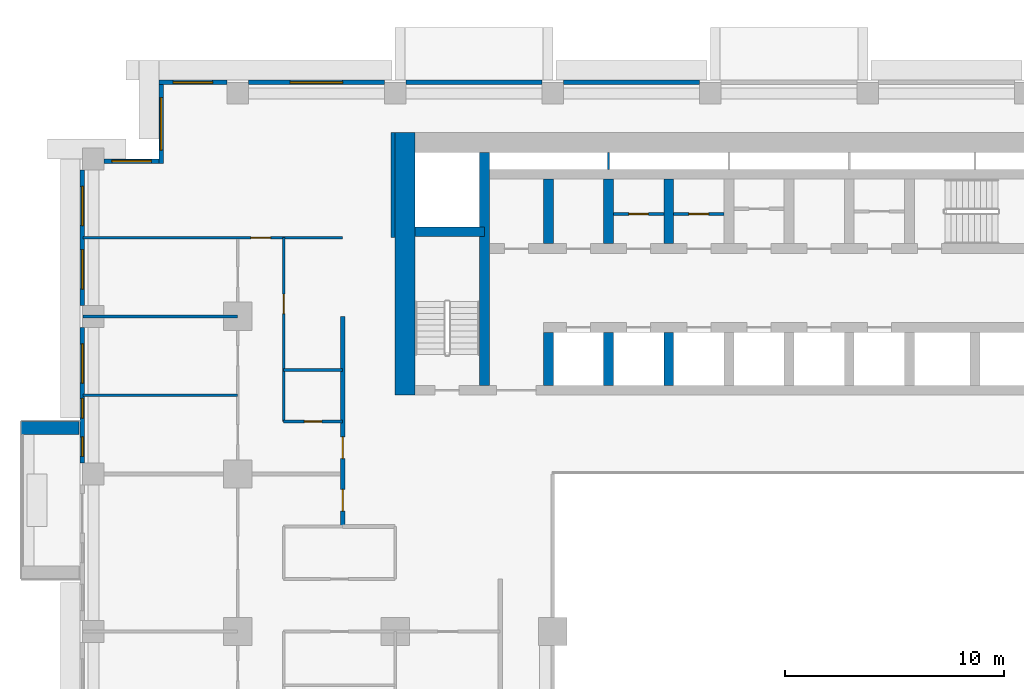
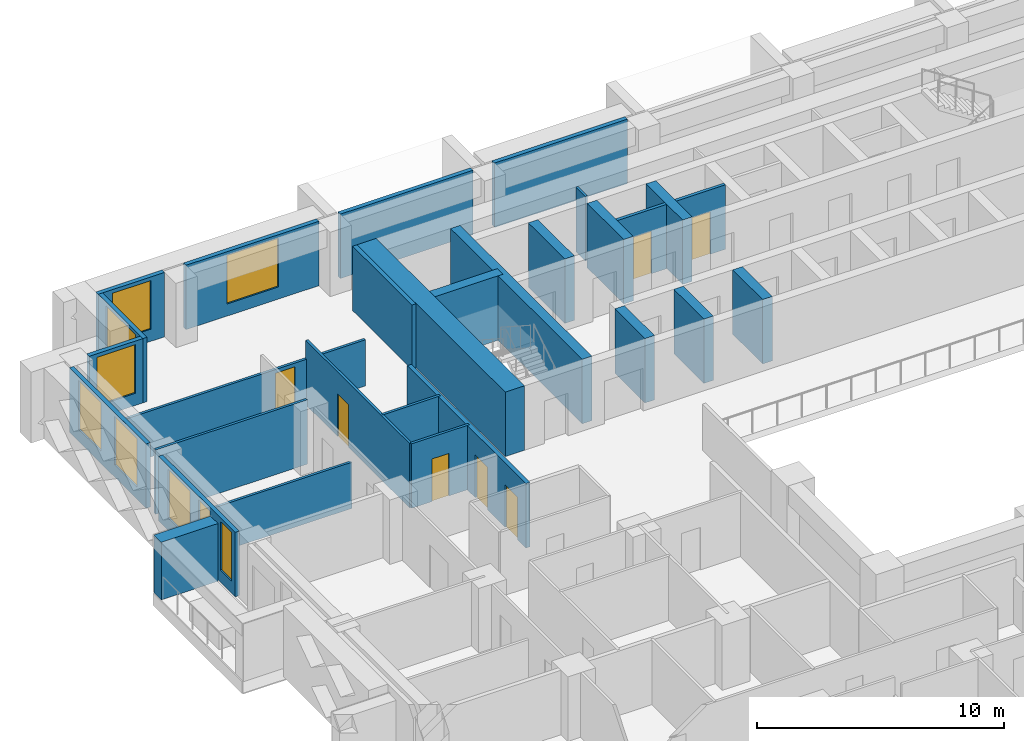
# One storey, part 9 of 16: 29 walls, 9 windows, 7 doors, 16 openings.
"""IFC4 building model written with IfcOpenShell, lengths in metres."""

from ifc_helpers import new_model, si_unit, direction, frame, frame_2d, origin, place, context, subcontext, project, spatial, rectangle, extrude, material, layer, layer_set, type_object, element, fill, save


model = new_model("IFC4")

# Units and contexts
model_context = context("Model", 3, precision=1e-05, world=origin(), true_north=direction((0.0, 1.0)))
body_context = subcontext(model_context, "Body", "Model", "MODEL_VIEW")
ifc_project = project(units=[si_unit("LENGTHUNIT", "METRE"), si_unit("AREAUNIT", "SQUARE_METRE"), si_unit("VOLUMEUNIT", "CUBIC_METRE"), si_unit("PLANEANGLEUNIT", "RADIAN"), si_unit("MASSUNIT", "GRAM", prefix="KILO")], contexts=[model_context])

# Site, building, storey
site_placement = place(None, origin())
site = spatial("IfcSite", under=ifc_project, at=site_placement, CompositionType="ELEMENT")
building_placement = place(site_placement, origin())
building = spatial("IfcBuilding", under=site, at=building_placement, Name="Saffron Iwan Residences", CompositionType="ELEMENT")
storey_placement = place(building_placement, frame((0.0, 0.0, 65.5)))
storey = spatial("IfcBuildingStorey", under=building, at=storey_placement, Name="L16", CompositionType="ELEMENT", Elevation=65.5)

# Wall
ifc_material_1 = material(Name="Concrete C50/60 white painted", Category="concrete")
ifc_layer_1 = layer(ifc_material_1, 0.60009765625)
ifc_layer_set_1 = layer_set([ifc_layer_1], Name="Concrete C50/60 white painted")
wall_type_1 = type_object("IfcWallType", Name="BALCONY FIN 600", PredefinedType="SOLIDWALL", material=ifc_layer_set_1)
wall_1_placement = place(storey_placement, frame((14.35009765625, 64.5, 0.0), z_axis=(0.0, 0.0, 1.0), x_axis=(-1.0, 0.0, 0.0)))
element("IfcWall", 1, at=wall_1_placement, inside=storey, type_object=wall_type_1, Name="Balcony fin L16 F8-0a", PredefinedType="SOLIDWALL", context=body_context, shape_type="SweptSolid", body=[
    extrude(rectangle(XDim=2.650146484375, YDim=0.60009765625, at=frame_2d((1.3251953125, 0.0))), origin(), (0.0, 0.0, 1.0), 2.85009765625),
])

# Wall, opening, door
ifc_material_2 = material(Name="Fire-rated plasterboard partition")
ifc_layer_2 = layer(ifc_material_2, 0.14990234375)
ifc_layer_set_2 = layer_set([ifc_layer_2], Name="Fire-rated plasterboard partition")
wall_type_2 = type_object("IfcWallType", Name="Core partition 150", PredefinedType="PARTITIONING", material=ifc_layer_set_2)
wall_2_placement = place(storey_placement, frame((38.77490234375, 74.281982421875, 0.0), z_axis=(0.0, 0.0, 1.0), x_axis=(1.0, 0.0, 0.0)))
wall_2 = element("IfcWall", 2, at=wall_2_placement, inside=storey, type_object=wall_type_2, Name="Core partition P01", PredefinedType="PARTITIONING", context=body_context, shape_type="SweptSolid", body=[
    extrude(rectangle(XDim=2.300048828125, YDim=0.14990234375, at=frame_2d((1.14990234375, 0.0))), origin(), (0.0, 0.0, 1.0), 3.179931640625),
])
opening_1_placement = place(wall_2_placement, frame((0.699951171875, 0.0, 0.0)))
opening_1 = element("IfcOpeningElement", 3, at=opening_1_placement, cuts=wall_2, Name="Opening SB", PredefinedType="OPENING", context=body_context, shape_type="SweptSolid", body=[
    extrude(rectangle(XDim=0.89990234375, YDim=2.10009765625, at=frame_2d((0.449951171875, 1.050048828125))), frame((0.0, 0.0849609375, 0.0), z_axis=(0.0, -1.0, 0.0), x_axis=(1.0, 0.0, 0.0)), (0.0, 0.0, 1.0), 0.169921875),
])
ifc_material_3 = material(Name="Steel fire door", Category="steel")
door_type_1 = type_object("IfcDoorType", Name="Store door 900", OperationType="NOTDEFINED", PredefinedType="DOOR", material=ifc_material_3)
door_1_placement = place(opening_1_placement, origin())
door_1 = element("IfcDoor", 4, at=door_1_placement, inside=storey, type_object=door_type_1, Name="Door Equipment store", OperationType="SINGLE_SWING_RIGHT", OverallHeight=2.10009765625, OverallWidth=0.89990234375, PredefinedType="DOOR", context=body_context, shape_type="SweptSolid", body=[
    extrude(rectangle(XDim=0.89990234375, YDim=2.10009765625, at=frame_2d((0.449951171875, 1.050048828125))), frame((0.0, 0.02490234375, 0.0), z_axis=(0.0, -1.0, 0.0), x_axis=(1.0, 0.0, 0.0)), (0.0, 0.0, 1.0), 0.050048828125),
])
fill(opening_1, door_1)

wall_3_placement = place(storey_placement, frame((41.52490234375, 74.281982421875, 0.0), z_axis=(0.0, 0.0, 1.0), x_axis=(1.0, 0.0, 0.0)))
wall_3 = element("IfcWall", 5, at=wall_3_placement, inside=storey, type_object=wall_type_2, Name="Core partition P02", PredefinedType="PARTITIONING", context=body_context, shape_type="SweptSolid", body=[
    extrude(rectangle(XDim=2.300048828125, YDim=0.14990234375, at=frame_2d((1.14990234375, 0.0))), origin(), (0.0, 0.0, 1.0), 3.179931640625),
])
opening_2_placement = place(wall_3_placement, frame((0.699951171875, 0.0, 0.0)))
opening_2 = element("IfcOpeningElement", 6, at=opening_2_placement, cuts=wall_3, Name="Opening SB", PredefinedType="OPENING", context=body_context, shape_type="SweptSolid", body=[
    extrude(rectangle(XDim=0.89990234375, YDim=2.10009765625, at=frame_2d((0.449951171875, 1.050048828125))), frame((0.0, 0.0849609375, 0.0), z_axis=(0.0, -1.0, 0.0), x_axis=(1.0, 0.0, 0.0)), (0.0, 0.0, 1.0), 0.169921875),
])
door_2_placement = place(opening_2_placement, origin())
door_2 = element("IfcDoor", 7, at=door_2_placement, inside=storey, type_object=door_type_1, Name="Door Mop store", OperationType="SINGLE_SWING_LEFT", OverallHeight=2.10009765625, OverallWidth=0.89990234375, PredefinedType="DOOR", context=body_context, shape_type="SweptSolid", body=[
    extrude(rectangle(XDim=0.89990234375, YDim=2.10009765625, at=frame_2d((0.449951171875, 1.050048828125))), frame((0.0, 0.02490234375, 0.0), z_axis=(0.0, -1.0, 0.0), x_axis=(1.0, 0.0, 0.0)), (0.0, 0.0, 1.0), 0.050048828125),
])
fill(opening_2, door_2)

# Walls
ifc_material_4 = material(Name="Concrete C40/50", Category="concrete")
ifc_layer_3 = layer(ifc_material_4, 0.199951171875)
ifc_layer_set_3 = layer_set([ifc_layer_3], Name="Concrete C40/50")
wall_type_3 = type_object("IfcWallType", Name="EXTERNAL WALL 200", PredefinedType="SOLIDWALL", material=ifc_layer_set_3)
for number, where, z_axis, x_axis, name in (
    (8, (42.699951171875, 80.300048828125, 0.0), (0.0, 0.0, 1.0), (-1.0, 0.0, 0.0), "External wall L16 F5.6"),
    (9, (35.5, 80.300048828125, 0.0), (0.0, 0.0, 1.0), (-1.0, 0.0, 0.0), "External wall L16 F5.7"),
):
    element("IfcWall", number, at=place(storey_placement, frame(where, z_axis=z_axis, x_axis=x_axis)), inside=storey, type_object=wall_type_3, Name=name, PredefinedType="SOLIDWALL", context=body_context, shape_type="SweptSolid", body=[
        extrude(rectangle(XDim=6.199951171875, YDim=0.199951171875, at=frame_2d((3.10009765625, 0.0))), origin(), (0.0, 0.0, 1.0), 3.179931640625),
    ])

# Wall, opening, window
wall_4_placement = place(storey_placement, frame((28.300048828125, 80.300048828125, 0.0), z_axis=(0.0, 0.0, 1.0), x_axis=(-1.0, 0.0, 0.0)))
wall_4 = element("IfcWall", 10, at=wall_4_placement, inside=storey, type_object=wall_type_3, Name="External wall L16 F5.8", PredefinedType="SOLIDWALL", context=body_context, shape_type="SweptSolid", body=[
    extrude(rectangle(XDim=6.199951171875, YDim=0.199951171875, at=frame_2d((3.10009765625, 0.0))), origin(), (0.0, 0.0, 1.0), 3.179931640625),
])
opening_3_placement = place(wall_4_placement, frame((1.89990234375, 0.0, 0.60009765625)))
opening_3 = element("IfcOpeningElement", 11, at=opening_3_placement, cuts=wall_4, Name="Opening W1", PredefinedType="OPENING", context=body_context, shape_type="SweptSolid", body=[
    extrude(rectangle(XDim=2.39990234375, YDim=2.39990234375, at=frame_2d((1.199951171875, 1.199951171875))), frame((0.0, 0.10986328125, 0.0), z_axis=(0.0, -1.0, 0.0), x_axis=(1.0, 0.0, 0.0)), (0.0, 0.0, 1.0), 0.219970703125),
])
ifc_material_5 = material(Name="Clear glass, laminated double glazed", Category="glass")
window_type_1 = type_object("IfcWindowType", Name="WINDOW 2400 x 2400", PartitioningType="DOUBLE_PANEL_VERTICAL", PredefinedType="WINDOW", material=ifc_material_5)
window_1_placement = place(opening_3_placement, origin())
window_1 = element("IfcWindow", 12, at=window_1_placement, inside=storey, type_object=window_type_1, Name="Window L16 F5.0", OverallHeight=2.39990234375, OverallWidth=2.39990234375, PartitioningType="DOUBLE_PANEL_VERTICAL", PredefinedType="WINDOW", context=body_context, shape_type="SweptSolid", body=[
    extrude(rectangle(XDim=2.39990234375, YDim=2.39990234375, at=frame_2d((1.199951171875, 1.199951171875))), frame((0.0, 0.030029296875, 0.0), z_axis=(0.0, -1.0, 0.0), x_axis=(1.0, 0.0, 0.0)), (0.0, 0.0, 1.0), 0.06005859375),
])
fill(opening_3, window_1)

wall_5_placement = place(storey_placement, frame((21.10009765625, 80.300048828125, 0.0), z_axis=(0.0, 0.0, 1.0), x_axis=(-1.0, 0.0, 0.0)))
wall_5 = element("IfcWall", 13, at=wall_5_placement, inside=storey, type_object=wall_type_3, Name="External wall L16 F5.9", PredefinedType="SOLIDWALL", context=body_context, shape_type="SweptSolid", body=[
    extrude(rectangle(XDim=3.10009765625, YDim=0.199951171875, at=frame_2d((1.550048828125, 0.0))), origin(), (0.0, 0.0, 1.0), 3.179931640625),
])
opening_4_placement = place(wall_5_placement, frame((0.64990234375, 0.0, 0.60009765625)))
opening_4 = element("IfcOpeningElement", 14, at=opening_4_placement, cuts=wall_5, Name="Opening W8", PredefinedType="OPENING", context=body_context, shape_type="SweptSolid", body=[
    extrude(rectangle(XDim=1.800048828125, YDim=2.39990234375, at=frame_2d((0.89990234375, 1.199951171875))), frame((0.0, 0.10986328125, 0.0), z_axis=(0.0, -1.0, 0.0), x_axis=(1.0, 0.0, 0.0)), (0.0, 0.0, 1.0), 0.219970703125),
])
window_type_2 = type_object("IfcWindowType", Name="WINDOW 1800 x 2400", PartitioningType="DOUBLE_PANEL_VERTICAL", PredefinedType="WINDOW", material=ifc_material_5)
window_2_placement = place(opening_4_placement, origin())
window_2 = element("IfcWindow", 15, at=window_2_placement, inside=storey, type_object=window_type_2, Name="Window L16 F5.0", OverallHeight=2.39990234375, OverallWidth=1.800048828125, PartitioningType="DOUBLE_PANEL_VERTICAL", PredefinedType="WINDOW", context=body_context, shape_type="SweptSolid", body=[
    extrude(rectangle(XDim=1.800048828125, YDim=2.39990234375, at=frame_2d((0.89990234375, 1.199951171875))), frame((0.0, 0.030029296875, 0.0), z_axis=(0.0, -1.0, 0.0), x_axis=(1.0, 0.0, 0.0)), (0.0, 0.0, 1.0), 0.06005859375),
])
fill(opening_4, window_2)

wall_6_placement = place(storey_placement, frame((18.10009765625, 80.199951171875, 0.0), z_axis=(0.0, 0.0, 1.0), x_axis=(0.0, -1.0, 0.0)))
wall_6 = element("IfcWall", 16, at=wall_6_placement, inside=storey, type_object=wall_type_3, Name="External wall L16 F6.0", PredefinedType="SOLIDWALL", context=body_context, shape_type="SweptSolid", body=[
    extrude(rectangle(XDim=3.599853515625, YDim=0.199951171875, at=frame_2d((1.7998046875, 0.0))), origin(), (0.0, 0.0, 1.0), 3.179931640625),
])
opening_5_placement = place(wall_6_placement, frame((0.60009765625, 0.0, 0.60009765625)))
opening_5 = element("IfcOpeningElement", 17, at=opening_5_placement, cuts=wall_6, Name="Opening W1", PredefinedType="OPENING", context=body_context, shape_type="SweptSolid", body=[
    extrude(rectangle(XDim=2.39990234375, YDim=2.39990234375, at=frame_2d((1.199951171875, 1.199951171875))), frame((0.0, 0.10986328125, 0.0), z_axis=(0.0, -1.0, 0.0), x_axis=(1.0, 0.0, 0.0)), (0.0, 0.0, 1.0), 0.219970703125),
])
window_3_placement = place(opening_5_placement, origin())
window_3 = element("IfcWindow", 18, at=window_3_placement, inside=storey, type_object=window_type_1, Name="Window L16 F6.0", OverallHeight=2.39990234375, OverallWidth=2.39990234375, PartitioningType="DOUBLE_PANEL_VERTICAL", PredefinedType="WINDOW", context=body_context, shape_type="SweptSolid", body=[
    extrude(rectangle(XDim=2.39990234375, YDim=2.39990234375, at=frame_2d((1.199951171875, 1.199951171875))), frame((0.0, 0.030029296875, 0.0), z_axis=(0.0, -1.0, 0.0), x_axis=(1.0, 0.0, 0.0)), (0.0, 0.0, 1.0), 0.06005859375),
])
fill(opening_5, window_3)

wall_7_placement = place(storey_placement, frame((18.0, 76.699951171875, 0.0), z_axis=(0.0, 0.0, 1.0), x_axis=(-1.0, 0.0, 0.0)))
wall_7 = element("IfcWall", 19, at=wall_7_placement, inside=storey, type_object=wall_type_3, Name="External wall L16 F7.0", PredefinedType="SOLIDWALL", context=body_context, shape_type="SweptSolid", body=[
    extrude(rectangle(XDim=2.5, YDim=0.199951171875, at=frame_2d((1.25, 0.0))), origin(), (0.0, 0.0, 1.0), 3.179931640625),
])
opening_6_placement = place(wall_7_placement, frame((0.35009765625, 0.0, 0.60009765625)))
opening_6 = element("IfcOpeningElement", 20, at=opening_6_placement, cuts=wall_7, Name="Opening W8", PredefinedType="OPENING", context=body_context, shape_type="SweptSolid", body=[
    extrude(rectangle(XDim=1.800048828125, YDim=2.39990234375, at=frame_2d((0.89990234375, 1.199951171875))), frame((0.0, 0.10986328125, 0.0), z_axis=(0.0, -1.0, 0.0), x_axis=(1.0, 0.0, 0.0)), (0.0, 0.0, 1.0), 0.219970703125),
])
window_4_placement = place(opening_6_placement, origin())
window_4 = element("IfcWindow", 21, at=window_4_placement, inside=storey, type_object=window_type_2, Name="Window L16 F7.0", OverallHeight=2.39990234375, OverallWidth=1.800048828125, PartitioningType="DOUBLE_PANEL_VERTICAL", PredefinedType="WINDOW", context=body_context, shape_type="SweptSolid", body=[
    extrude(rectangle(XDim=1.800048828125, YDim=2.39990234375, at=frame_2d((0.89990234375, 1.199951171875))), frame((0.0, 0.030029296875, 0.0), z_axis=(0.0, -1.0, 0.0), x_axis=(1.0, 0.0, 0.0)), (0.0, 0.0, 1.0), 0.06005859375),
])
fill(opening_6, window_4)

# Wall, openings, windows
wall_8_placement = place(storey_placement, frame((14.5, 76.300048828125, 0.0), z_axis=(0.0, 0.0, 1.0), x_axis=(0.0, -1.0, 0.0)))
wall_8 = element("IfcWall", 22, at=wall_8_placement, inside=storey, type_object=wall_type_3, Name="External wall L16 F8.0", PredefinedType="SOLIDWALL", context=body_context, shape_type="SweptSolid", body=[
    extrude(rectangle(XDim=6.199951171875, YDim=0.199951171875, at=frame_2d((3.10009765625, 0.0))), origin(), (0.0, 0.0, 1.0), 3.179931640625),
])
opening_7_placement = place(wall_8_placement, frame((3.64990234375, 0.0, 0.60009765625)))
opening_7 = element("IfcOpeningElement", 23, at=opening_7_placement, cuts=wall_8, Name="Opening W8", PredefinedType="OPENING", context=body_context, shape_type="SweptSolid", body=[
    extrude(rectangle(XDim=1.800048828125, YDim=2.39990234375, at=frame_2d((0.89990234375, 1.199951171875))), frame((0.0, 0.10986328125, 0.0), z_axis=(0.0, -1.0, 0.0), x_axis=(1.0, 0.0, 0.0)), (0.0, 0.0, 1.0), 0.219970703125),
])
opening_8_placement = place(wall_8_placement, frame((0.75, 0.0, 0.60009765625)))
opening_8 = element("IfcOpeningElement", 24, at=opening_8_placement, cuts=wall_8, Name="Opening W8", PredefinedType="OPENING", context=body_context, shape_type="SweptSolid", body=[
    extrude(rectangle(XDim=1.800048828125, YDim=2.39990234375, at=frame_2d((0.89990234375, 1.199951171875))), frame((0.0, 0.10986328125, 0.0), z_axis=(0.0, -1.0, 0.0), x_axis=(1.0, 0.0, 0.0)), (0.0, 0.0, 1.0), 0.219970703125),
])
window_5_placement = place(opening_7_placement, origin())
window_5 = element("IfcWindow", 25, at=window_5_placement, inside=storey, type_object=window_type_2, Name="Window L16 F8.0", OverallHeight=2.39990234375, OverallWidth=1.800048828125, PartitioningType="DOUBLE_PANEL_VERTICAL", PredefinedType="WINDOW", context=body_context, shape_type="SweptSolid", body=[
    extrude(rectangle(XDim=1.800048828125, YDim=2.39990234375, at=frame_2d((0.89990234375, 1.199951171875))), frame((0.0, 0.030029296875, 0.0), z_axis=(0.0, -1.0, 0.0), x_axis=(1.0, 0.0, 0.0)), (0.0, 0.0, 1.0), 0.06005859375),
])
fill(opening_7, window_5)
window_6_placement = place(opening_8_placement, origin())
window_6 = element("IfcWindow", 26, at=window_6_placement, inside=storey, type_object=window_type_2, Name="Window L16 F8.1", OverallHeight=2.39990234375, OverallWidth=1.800048828125, PartitioningType="DOUBLE_PANEL_VERTICAL", PredefinedType="WINDOW", context=body_context, shape_type="SweptSolid", body=[
    extrude(rectangle(XDim=1.800048828125, YDim=2.39990234375, at=frame_2d((0.89990234375, 1.199951171875))), frame((0.0, 0.030029296875, 0.0), z_axis=(0.0, -1.0, 0.0), x_axis=(1.0, 0.0, 0.0)), (0.0, 0.0, 1.0), 0.06005859375),
])
fill(opening_8, window_6)

wall_9_placement = place(storey_placement, frame((14.5, 69.10009765625, 0.0), z_axis=(0.0, 0.0, 1.0), x_axis=(0.0, -1.0, 0.0)))
wall_9 = element("IfcWall", 27, at=wall_9_placement, inside=storey, type_object=wall_type_3, Name="External wall L16 F8.1", PredefinedType="SOLIDWALL", context=body_context, shape_type="SweptSolid", body=[
    extrude(rectangle(XDim=6.2001953125, YDim=0.199951171875, at=frame_2d((3.10009765625, 0.0))), origin(), (0.0, 0.0, 1.0), 3.179931640625),
])
opening_9_placement = place(wall_9_placement, frame((3.25, 0.0, 0.60009765625)))
opening_9 = element("IfcOpeningElement", 28, at=opening_9_placement, cuts=wall_9, Name="Opening W10", PredefinedType="OPENING", context=body_context, shape_type="SweptSolid", body=[
    extrude(rectangle(XDim=0.89990234375, YDim=2.39990234375, at=frame_2d((0.449951171875, 1.199951171875))), frame((0.0, 0.10986328125, 0.0), z_axis=(0.0, -1.0, 0.0), x_axis=(1.0, 0.0, 0.0)), (0.0, 0.0, 1.0), 0.219970703125),
])
opening_10_placement = place(wall_9_placement, frame((5.0, 0.0, 0.60009765625)))
opening_10 = element("IfcOpeningElement", 29, at=opening_10_placement, cuts=wall_9, Name="Opening W10", PredefinedType="OPENING", context=body_context, shape_type="SweptSolid", body=[
    extrude(rectangle(XDim=0.89990234375, YDim=2.39990234375, at=frame_2d((0.449951171875, 1.199951171875))), frame((0.0, 0.10986328125, 0.0), z_axis=(0.0, -1.0, 0.0), x_axis=(1.0, 0.0, 0.0)), (0.0, 0.0, 1.0), 0.219970703125),
])
opening_11_placement = place(wall_9_placement, frame((0.75, 0.0, 0.60009765625)))
opening_11 = element("IfcOpeningElement", 30, at=opening_11_placement, cuts=wall_9, Name="Opening W8", PredefinedType="OPENING", context=body_context, shape_type="SweptSolid", body=[
    extrude(rectangle(XDim=1.800048828125, YDim=2.39990234375, at=frame_2d((0.89990234375, 1.199951171875))), frame((0.0, 0.10986328125, 0.0), z_axis=(0.0, -1.0, 0.0), x_axis=(1.0, 0.0, 0.0)), (0.0, 0.0, 1.0), 0.219970703125),
])
window_7_placement = place(opening_11_placement, origin())
window_7 = element("IfcWindow", 31, at=window_7_placement, inside=storey, type_object=window_type_2, Name="Window L16 F8.2", OverallHeight=2.39990234375, OverallWidth=1.800048828125, PartitioningType="DOUBLE_PANEL_VERTICAL", PredefinedType="WINDOW", context=body_context, shape_type="SweptSolid", body=[
    extrude(rectangle(XDim=1.800048828125, YDim=2.39990234375, at=frame_2d((0.89990234375, 1.199951171875))), frame((0.0, 0.030029296875, 0.0), z_axis=(0.0, -1.0, 0.0), x_axis=(1.0, 0.0, 0.0)), (0.0, 0.0, 1.0), 0.06005859375),
])
fill(opening_11, window_7)
window_type_3 = type_object("IfcWindowType", Name="WINDOW 900 x 2400", PartitioningType="SINGLE_PANEL", PredefinedType="WINDOW", material=ifc_material_5)
window_8_placement = place(opening_9_placement, origin())
window_8 = element("IfcWindow", 32, at=window_8_placement, inside=storey, type_object=window_type_3, Name="Window L16 F8.0", OverallHeight=2.39990234375, OverallWidth=0.89990234375, PartitioningType="SINGLE_PANEL", PredefinedType="WINDOW", context=body_context, shape_type="SweptSolid", body=[
    extrude(rectangle(XDim=0.89990234375, YDim=2.39990234375, at=frame_2d((0.449951171875, 1.199951171875))), frame((0.0, 0.030029296875, 0.0), z_axis=(0.0, -1.0, 0.0), x_axis=(1.0, 0.0, 0.0)), (0.0, 0.0, 1.0), 0.06005859375),
])
fill(opening_9, window_8)
window_9_placement = place(opening_10_placement, origin())
window_9 = element("IfcWindow", 33, at=window_9_placement, inside=storey, type_object=window_type_3, Name="Window L16 F8.1", OverallHeight=2.39990234375, OverallWidth=0.89990234375, PartitioningType="SINGLE_PANEL", PredefinedType="WINDOW", context=body_context, shape_type="SweptSolid", body=[
    extrude(rectangle(XDim=0.89990234375, YDim=2.39990234375, at=frame_2d((0.449951171875, 1.199951171875))), frame((0.0, 0.030029296875, 0.0), z_axis=(0.0, -1.0, 0.0), x_axis=(1.0, 0.0, 0.0)), (0.0, 0.0, 1.0), 0.06005859375),
])
fill(opening_10, window_9)

# Wall, opening, door
ifc_material_6 = material(Name="Gypsum board partition")
ifc_layer_4 = layer(ifc_material_6, 0.1201171875)
ifc_layer_set_4 = layer_set([ifc_layer_4], Name="Gypsum board partition")
wall_type_4 = type_object("IfcWallType", Name="Flat partition 120", PredefinedType="PARTITIONING", material=ifc_layer_set_4)
wall_10_placement = place(storey_placement, frame((23.699951171875, 64.800048828125, 0.0), z_axis=(0.0, 0.0, 1.0), x_axis=(1.0, 0.0, 0.0)))
wall_10 = element("IfcWall", 34, at=wall_10_placement, inside=storey, type_object=wall_type_4, Name="W-L16-PART-h64.8-23.7", PredefinedType="PARTITIONING", context=body_context, shape_type="SweptSolid", body=[
    extrude(rectangle(XDim=2.699951171875, YDim=0.1201171875, at=frame_2d((1.35009765625, 0.0))), origin(), (0.0, 0.0, 1.0), 3.179931640625),
])
opening_12_placement = place(wall_10_placement, frame((0.949951171875, 0.0, 0.0)))
opening_12 = element("IfcOpeningElement", 35, at=opening_12_placement, cuts=wall_10, Name="Opening FD3", PredefinedType="OPENING", context=body_context, shape_type="SweptSolid", body=[
    extrude(rectangle(XDim=0.800048828125, YDim=2.10009765625, at=frame_2d((0.39990234375, 1.050048828125))), frame((0.0, 0.070068359375, 0.0), z_axis=(0.0, -1.0, 0.0), x_axis=(1.0, 0.0, 0.0)), (0.0, 0.0, 1.0), 0.14013671875),
])
ifc_material_7 = material(Name="Timber door", Category="wood")
door_type_2 = type_object("IfcDoorType", Name="Bathroom door 800", OperationType="NOTDEFINED", PredefinedType="DOOR", material=ifc_material_7)
door_3_placement = place(opening_12_placement, origin())
door_3 = element("IfcDoor", 36, at=door_3_placement, inside=storey, type_object=door_type_2, Name="Door L16-032", OperationType="SINGLE_SWING_LEFT", OverallHeight=2.10009765625, OverallWidth=0.800048828125, PredefinedType="DOOR", context=body_context, shape_type="SweptSolid", body=[
    extrude(rectangle(XDim=0.800048828125, YDim=2.10009765625, at=frame_2d((0.39990234375, 1.050048828125))), frame((0.0, 0.02490234375, 0.0), z_axis=(0.0, -1.0, 0.0), x_axis=(1.0, 0.0, 0.0)), (0.0, 0.0, 1.0), 0.050048828125),
])
fill(opening_12, door_3)

# Walls
wall_11_placement = place(storey_placement, frame((14.52490234375, 66.0, 0.0), z_axis=(0.0, 0.0, 1.0), x_axis=(1.0, 0.0, 0.0)))
element("IfcWall", 37, at=wall_11_placement, inside=storey, type_object=wall_type_4, Name="W-L16-PART-h66-14.525", PredefinedType="PARTITIONING", context=body_context, shape_type="SweptSolid", body=[
    extrude(rectangle(XDim=7.0751953125, YDim=0.1201171875, at=frame_2d((3.53759765625, 0.0))), origin(), (0.0, 0.0, 1.0), 2.280029296875),
])
wall_12_placement = place(storey_placement, frame((23.699951171875, 67.14990234375, 0.0), z_axis=(0.0, 0.0, 1.0), x_axis=(1.0, 0.0, 0.0)))
element("IfcWall", 38, at=wall_12_placement, inside=storey, type_object=wall_type_4, Name="W-L16-PART-h67.15-23.7", PredefinedType="PARTITIONING", context=body_context, shape_type="SweptSolid", body=[
    extrude(rectangle(XDim=2.699951171875, YDim=0.1201171875, at=frame_2d((1.35009765625, 0.0))), origin(), (0.0, 0.0, 1.0), 3.179931640625),
])
wall_13_placement = place(storey_placement, frame((14.52490234375, 69.60009765625, 0.0), z_axis=(0.0, 0.0, 1.0), x_axis=(1.0, 0.0, 0.0)))
element("IfcWall", 39, at=wall_13_placement, inside=storey, type_object=wall_type_4, Name="W-L16-PART-h69.6-14.525", PredefinedType="PARTITIONING", context=body_context, shape_type="SweptSolid", body=[
    extrude(rectangle(XDim=7.0751953125, YDim=0.1201171875, at=frame_2d((3.53759765625, 0.0))), origin(), (0.0, 0.0, 1.0), 3.179931640625),
])

# Wall, opening, door
wall_14_placement = place(storey_placement, frame((14.52490234375, 73.199951171875, 0.0), z_axis=(0.0, 0.0, 1.0), x_axis=(1.0, 0.0, 0.0)))
wall_14 = element("IfcWall", 40, at=wall_14_placement, inside=storey, type_object=wall_type_4, Name="W-L16-PART-h73.2-14.525", PredefinedType="PARTITIONING", context=body_context, shape_type="SweptSolid", body=[
    extrude(rectangle(XDim=11.875, YDim=0.1201171875, at=frame_2d((5.9375, 0.0))), origin(), (0.0, 0.0, 1.0), 2.280029296875),
])
opening_13_placement = place(wall_14_placement, frame((7.675048828125, 0.0, 0.0)))
opening_13 = element("IfcOpeningElement", 41, at=opening_13_placement, cuts=wall_14, Name="Opening FD2", PredefinedType="OPENING", context=body_context, shape_type="SweptSolid", body=[
    extrude(rectangle(XDim=0.89990234375, YDim=2.10009765625, at=frame_2d((0.449951171875, 1.050048828125))), frame((0.0, 0.070068359375, 0.0), z_axis=(0.0, -1.0, 0.0), x_axis=(1.0, 0.0, 0.0)), (0.0, 0.0, 1.0), 0.14013671875),
])
door_type_3 = type_object("IfcDoorType", Name="Flat door 900", OperationType="NOTDEFINED", PredefinedType="DOOR", material=ifc_material_7)
door_4_placement = place(opening_13_placement, origin())
door_4 = element("IfcDoor", 42, at=door_4_placement, inside=storey, type_object=door_type_3, Name="Door L16-031", OperationType="SINGLE_SWING_LEFT", OverallHeight=2.10009765625, OverallWidth=0.89990234375, PredefinedType="DOOR", context=body_context, shape_type="SweptSolid", body=[
    extrude(rectangle(XDim=0.89990234375, YDim=2.10009765625, at=frame_2d((0.449951171875, 1.050048828125))), frame((0.0, 0.02490234375, 0.0), z_axis=(0.0, -1.0, 0.0), x_axis=(1.0, 0.0, 0.0)), (0.0, 0.0, 1.0), 0.050048828125),
])
fill(opening_13, door_4)

wall_15_placement = place(storey_placement, frame((23.699951171875, 64.800048828125, 0.0), z_axis=(0.0, 0.0, 1.0), x_axis=(0.0, 1.0, 0.0)))
wall_15 = element("IfcWall", 43, at=wall_15_placement, inside=storey, type_object=wall_type_4, Name="W-L16-PART-v23.7-64.8", PredefinedType="PARTITIONING", context=body_context, shape_type="SweptSolid", body=[
    extrude(rectangle(XDim=8.39990234375, YDim=0.1201171875, at=frame_2d((4.199951171875, 0.0))), origin(), (0.0, 0.0, 1.0), 3.179931640625),
])
opening_14_placement = place(wall_15_placement, frame((4.925048828125, 0.0, 0.0)))
opening_14 = element("IfcOpeningElement", 44, at=opening_14_placement, cuts=wall_15, Name="Opening FD2", PredefinedType="OPENING", context=body_context, shape_type="SweptSolid", body=[
    extrude(rectangle(XDim=0.89990234375, YDim=2.10009765625, at=frame_2d((0.449951171875, 1.050048828125))), frame((0.0, 0.070068359375, 0.0), z_axis=(0.0, -1.0, 0.0), x_axis=(1.0, 0.0, 0.0)), (0.0, 0.0, 1.0), 0.14013671875),
])
door_5_placement = place(opening_14_placement, origin())
door_5 = element("IfcDoor", 45, at=door_5_placement, inside=storey, type_object=door_type_3, Name="Door L16-033", OperationType="SINGLE_SWING_RIGHT", OverallHeight=2.10009765625, OverallWidth=0.89990234375, PredefinedType="DOOR", context=body_context, shape_type="SweptSolid", body=[
    extrude(rectangle(XDim=0.89990234375, YDim=2.10009765625, at=frame_2d((0.449951171875, 1.050048828125))), frame((0.0, 0.02490234375, 0.0), z_axis=(0.0, -1.0, 0.0), x_axis=(1.0, 0.0, 0.0)), (0.0, 0.0, 1.0), 0.050048828125),
])
fill(opening_14, door_5)

# Wall, openings, doors
ifc_material_8 = material(Name="Fire-rated gypsum board wall")
ifc_layer_5 = layer(ifc_material_8, 0.199951171875)
ifc_layer_set_5 = layer_set([ifc_layer_5], Name="Fire-rated gypsum board wall")
wall_type_5 = type_object("IfcWallType", Name="Gallery wall 200", PredefinedType="SOLIDWALL", material=ifc_layer_set_5)
wall_16_placement = place(storey_placement, frame((26.39990234375, 60.0, 0.0), z_axis=(0.0, 0.0, 1.0), x_axis=(0.0, 1.0, 0.0)))
wall_16 = element("IfcWall", 46, at=wall_16_placement, inside=storey, type_object=wall_type_5, Name="W-L16-CORR-v26.4-60", PredefinedType="SOLIDWALL", context=body_context, shape_type="SweptSolid", body=[
    extrude(rectangle(XDim=9.60009765625, YDim=0.199951171875, at=frame_2d((4.800048828125, 0.0))), origin(), (0.0, 0.0, 1.0), 3.179931640625),
])
opening_15_placement = place(wall_16_placement, frame((0.699951171875, 0.0, 0.0)))
opening_15 = element("IfcOpeningElement", 47, at=opening_15_placement, cuts=wall_16, Name="Opening FD1", PredefinedType="OPENING", context=body_context, shape_type="SweptSolid", body=[
    extrude(rectangle(XDim=1.0, YDim=2.10009765625, at=frame_2d((0.5, 1.050048828125))), frame((0.0, 0.10986328125, 0.0), z_axis=(0.0, -1.0, 0.0), x_axis=(1.0, 0.0, 0.0)), (0.0, 0.0, 1.0), 0.219970703125),
])
opening_16_placement = place(wall_16_placement, frame((3.10009765625, 0.0, 0.0)))
opening_16 = element("IfcOpeningElement", 48, at=opening_16_placement, cuts=wall_16, Name="Opening FD1", PredefinedType="OPENING", context=body_context, shape_type="SweptSolid", body=[
    extrude(rectangle(XDim=1.0, YDim=2.10009765625, at=frame_2d((0.5, 1.050048828125))), frame((0.0, 0.10986328125, 0.0), z_axis=(0.0, -1.0, 0.0), x_axis=(1.0, 0.0, 0.0)), (0.0, 0.0, 1.0), 0.219970703125),
])
ifc_material_9 = material(Name="Fire-rated timber door", Category="wood")
door_type_4 = type_object("IfcDoorType", Name="FD30S flat entrance door 1000", OperationType="NOTDEFINED", PredefinedType="DOOR", material=ifc_material_9)
door_6_placement = place(opening_15_placement, origin())
door_6 = element("IfcDoor", 49, at=door_6_placement, inside=storey, type_object=door_type_4, Name="Door L16-012", OperationType="SINGLE_SWING_RIGHT", OverallHeight=2.10009765625, OverallWidth=1.0, PredefinedType="DOOR", context=body_context, shape_type="SweptSolid", body=[
    extrude(rectangle(XDim=1.0, YDim=2.10009765625, at=frame_2d((0.5, 1.050048828125))), frame((0.0, 0.02490234375, 0.0), z_axis=(0.0, -1.0, 0.0), x_axis=(1.0, 0.0, 0.0)), (0.0, 0.0, 1.0), 0.050048828125),
])
fill(opening_15, door_6)
door_7_placement = place(opening_16_placement, origin())
door_7 = element("IfcDoor", 50, at=door_7_placement, inside=storey, type_object=door_type_4, Name="Door L16-027", OperationType="SINGLE_SWING_RIGHT", OverallHeight=2.10009765625, OverallWidth=1.0, PredefinedType="DOOR", context=body_context, shape_type="SweptSolid", body=[
    extrude(rectangle(XDim=1.0, YDim=2.10009765625, at=frame_2d((0.5, 1.050048828125))), frame((0.0, 0.02490234375, 0.0), z_axis=(0.0, -1.0, 0.0), x_axis=(1.0, 0.0, 0.0)), (0.0, 0.0, 1.0), 0.050048828125),
])
fill(opening_16, door_7)

# Walls
wall_17_placement = place(storey_placement, frame((28.699951171875, 73.199951171875, 0.0), z_axis=(0.0, 0.0, 1.0), x_axis=(0.0, 1.0, 0.0)))
element("IfcWall", 51, at=wall_17_placement, inside=storey, type_object=wall_type_5, Name="W-L16-CORR-v28.8-73.2", PredefinedType="SOLIDWALL", context=body_context, shape_type="SweptSolid", body=[
    extrude(rectangle(XDim=4.800048828125, YDim=0.199951171875, at=frame_2d((2.39990234375, 0.0))), origin(), (0.0, 0.0, 1.0), 3.179931640625),
])
ifc_layer_6 = layer(ifc_material_2, 0.10009765625)
ifc_layer_set_6 = layer_set([ifc_layer_6], Name="Fire-rated plasterboard partition")
wall_type_6 = type_object("IfcWallType", Name="Riser partition 100", PredefinedType="PARTITIONING", material=ifc_layer_set_6)
wall_18_placement = place(storey_placement, frame((38.550048828125, 76.324951171875, 0.0), z_axis=(0.0, 0.0, 1.0), x_axis=(0.0, 1.0, 0.0)))
element("IfcWall", 52, at=wall_18_placement, inside=storey, type_object=wall_type_6, Name="Core partition P05", PredefinedType="PARTITIONING", context=body_context, shape_type="SweptSolid", body=[
    extrude(rectangle(XDim=0.775146484375, YDim=0.10009765625, at=frame_2d((0.3876953125, 0.0))), origin(), (0.0, 0.0, 1.0), 3.179931640625),
])
ifc_material_10 = material(Name="Concrete C60/75", Category="concrete")
ifc_layer_7 = layer(ifc_material_10, 0.449951171875)
ifc_layer_set_7 = layer_set([ifc_layer_7], Name="Concrete C60/75")
wall_type_7 = type_object("IfcWallType", Name="WALL CORE 450 C60/75 3180 HIGH", PredefinedType="SHEAR", material=ifc_layer_set_7)
wall_19_placement = place(storey_placement, frame((29.699951171875, 73.47509765625, 0.0), z_axis=(0.0, 0.0, 1.0), x_axis=(1.0, 0.0, 0.0)))
element("IfcWall", 53, at=wall_19_placement, inside=storey, type_object=wall_type_7, Name="Core wall", PredefinedType="SHEAR", context=body_context, shape_type="SweptSolid", body=[
    extrude(rectangle(XDim=3.175048828125, YDim=0.449951171875, at=frame_2d((1.58740234375, 0.0))), origin(), (0.0, 0.0, 1.0), 3.179931640625),
])
wall_20_placement = place(storey_placement, frame((32.875, 66.449951171875, 0.0), z_axis=(0.0, 0.0, 1.0), x_axis=(0.0, 1.0, 0.0)))
element("IfcWall", 54, at=wall_20_placement, inside=storey, type_object=wall_type_7, Name="Core wall", PredefinedType="SHEAR", context=body_context, shape_type="SweptSolid", body=[
    extrude(rectangle(XDim=10.650146484375, YDim=0.449951171875, at=frame_2d((5.3251953125, 0.0))), origin(), (0.0, 0.0, 1.0), 3.179931640625),
])
for number, where, z_axis, x_axis, name in (
    (55, (35.800048828125, 66.449951171875, 0.0), (0.0, 0.0, 1.0), (0.0, 1.0, 0.0), "Core wall"),
    (56, (38.550048828125, 66.449951171875, 0.0), (0.0, 0.0, 1.0), (0.0, 1.0, 0.0), "Core wall"),
    (57, (41.300048828125, 66.449951171875, 0.0), (0.0, 0.0, 1.0), (0.0, 1.0, 0.0), "Core wall"),
):
    element("IfcWall", number, at=place(storey_placement, frame(where, z_axis=z_axis, x_axis=x_axis)), inside=storey, type_object=wall_type_7, Name=name, PredefinedType="SHEAR", context=body_context, shape_type="SweptSolid", body=[
        extrude(rectangle(XDim=2.425048828125, YDim=0.449951171875, at=frame_2d((1.21240234375, 0.0))), origin(), (0.0, 0.0, 1.0), 3.179931640625),
    ])
for number, where, z_axis, x_axis, name in (
    (58, (35.800048828125, 72.925048828125, 0.0), (0.0, 0.0, 1.0), (0.0, 1.0, 0.0), "Core wall"),
    (59, (38.550048828125, 72.925048828125, 0.0), (0.0, 0.0, 1.0), (0.0, 1.0, 0.0), "Core wall"),
    (60, (41.300048828125, 72.925048828125, 0.0), (0.0, 0.0, 1.0), (0.0, 1.0, 0.0), "Core wall"),
):
    element("IfcWall", number, at=place(storey_placement, frame(where, z_axis=z_axis, x_axis=x_axis)), inside=storey, type_object=wall_type_7, Name=name, PredefinedType="SHEAR", context=body_context, shape_type="SweptSolid", body=[
        extrude(rectangle(XDim=2.949951171875, YDim=0.449951171875, at=frame_2d((1.47509765625, 0.0))), origin(), (0.0, 0.0, 1.0), 3.179931640625),
    ])
ifc_layer_8 = layer(ifc_material_10, 0.89990234375)
ifc_layer_set_8 = layer_set([ifc_layer_8], Name="Concrete C60/75")
wall_type_8 = type_object("IfcWallType", Name="WALL CORE 900 C60/75 3180 HIGH", PredefinedType="SHEAR", material=ifc_layer_set_8)
wall_21_placement = place(storey_placement, frame((29.25, 66.0, 0.0), z_axis=(0.0, 0.0, 1.0), x_axis=(0.0, 1.0, 0.0)))
element("IfcWall", 61, at=wall_21_placement, inside=storey, type_object=wall_type_8, Name="Core wall", PredefinedType="SHEAR", context=body_context, shape_type="SweptSolid", body=[
    extrude(rectangle(XDim=12.0, YDim=0.89990234375, at=frame_2d((6.0, 0.0))), origin(), (0.0, 0.0, 1.0), 3.179931640625),
])

save(model, "model.ifc")
